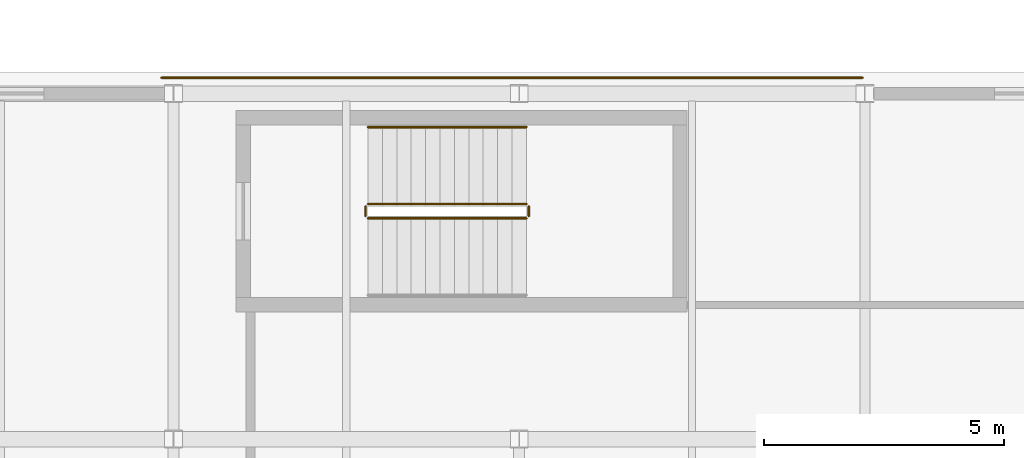
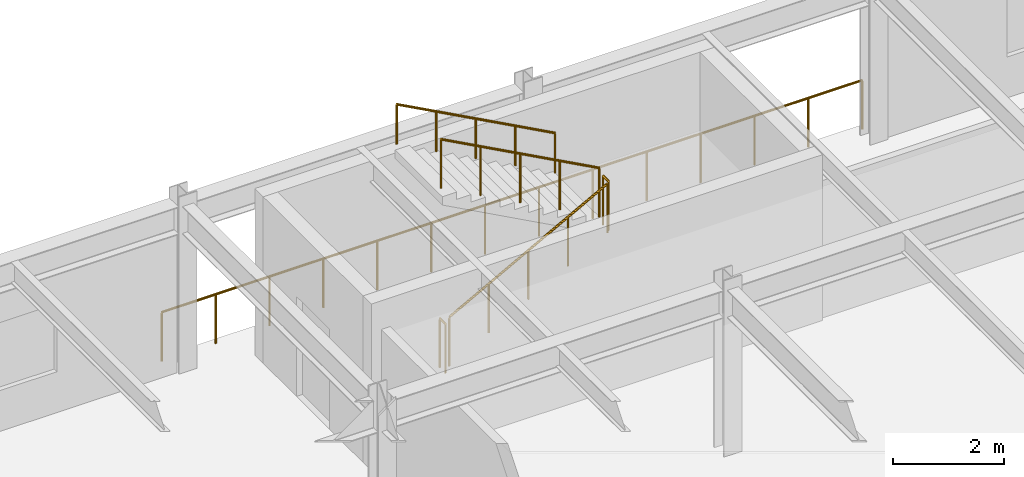
# One storey, part 92 of 93: 6 railings.
"""IFC4 building model written with IfcOpenShell, lengths in metres."""

from ifc_helpers import new_model, si_unit, direction, frame, origin, origin_2d, place, context, subcontext, project, spatial, circle, extrude, material, layer, layer_set, type_object, element, save


model = new_model("IFC4")

# Units and contexts
model_context = context("Model", 3, precision=1e-05, world=origin(), true_north=direction((0.0, 1.0)))
body_context = subcontext(model_context, "Body", "Model", "MODEL_VIEW")
ifc_project = project(units=[si_unit("LENGTHUNIT", "METRE"), si_unit("AREAUNIT", "SQUARE_METRE"), si_unit("VOLUMEUNIT", "CUBIC_METRE"), si_unit("PLANEANGLEUNIT", "RADIAN"), si_unit("MASSUNIT", "GRAM", prefix="KILO")], contexts=[model_context])

# Site, building, storey
site_placement = place(None, origin())
site = spatial("IfcSite", under=ifc_project, at=site_placement, CompositionType="ELEMENT")
building_placement = place(site_placement, origin())
building = spatial("IfcBuilding", under=site, at=building_placement, Name="Vaelcorin Mobility Hub", CompositionType="ELEMENT")
storey_placement = place(building_placement, frame((0.0, 0.0, 5.39990234375)))
storey = spatial("IfcBuildingStorey", under=building, at=storey_placement, Name="L01", CompositionType="ELEMENT", Elevation=5.39990234375)

# Railings
ifc_material_1 = material(Name="Galvanised structural steel ASTM A36", Category="steel")
ifc_layer_1 = layer(ifc_material_1, 0.070068359375)
ifc_layer_set_1 = layer_set([ifc_layer_1], Name="Galvanised structural steel ASTM A36")
railing_type_1 = type_object("IfcRailingType", Name="RL-GUARD-1100", PredefinedType="BALUSTRADE", material=ifc_layer_set_1)
railing_1_placement = place(storey_placement, frame((174.949951171875, 120.330078125, 0.0)))
element("IfcRailing", 1, at=railing_1_placement, inside=storey, type_object=railing_type_1, Name="L01 Perimeter Guard GR-V5-L01-N-GAP-01", PredefinedType="BALUSTRADE", context=body_context, shape_type="SweptSolid", body=[
    extrude(circle(Radius=0.02392578125, at=origin_2d()), frame((0.0, 0.0, 1.076171875), z_axis=(1.0, 0.0, 0.0), x_axis=(0.0, 1.0, 0.0)), (0.0, 0.0, 1.0), 14.60009765625),
    extrude(circle(Radius=0.02099609375, at=origin_2d()), origin(), (0.0, 0.0, 1.0), 1.052001953125),
    extrude(circle(Radius=0.02099609375, at=origin_2d()), frame((1.123046875, 0.0, 0.0)), (0.0, 0.0, 1.0), 1.052001953125),
    extrude(circle(Radius=0.02099609375, at=origin_2d()), frame((2.24609375, 0.0, 0.0)), (0.0, 0.0, 1.0), 1.052001953125),
    extrude(circle(Radius=0.02099609375, at=origin_2d()), frame((3.369140625, 0.0, 0.0)), (0.0, 0.0, 1.0), 1.052001953125),
    extrude(circle(Radius=0.02099609375, at=origin_2d()), frame((4.492431640625, 0.0, 0.0)), (0.0, 0.0, 1.0), 1.052001953125),
    extrude(circle(Radius=0.02099609375, at=origin_2d()), frame((5.615478515625, 0.0, 0.0)), (0.0, 0.0, 1.0), 1.052001953125),
    extrude(circle(Radius=0.02099609375, at=origin_2d()), frame((6.738525390625, 0.0, 0.0)), (0.0, 0.0, 1.0), 1.052001953125),
    extrude(circle(Radius=0.02099609375, at=origin_2d()), frame((7.861572265625, 0.0, 0.0)), (0.0, 0.0, 1.0), 1.052001953125),
    extrude(circle(Radius=0.02099609375, at=origin_2d()), frame((8.984619140625, 0.0, 0.0)), (0.0, 0.0, 1.0), 1.052001953125),
    extrude(circle(Radius=0.02099609375, at=origin_2d()), frame((10.107666015625, 0.0, 0.0)), (0.0, 0.0, 1.0), 1.052001953125),
    extrude(circle(Radius=0.02099609375, at=origin_2d()), frame((11.23095703125, 0.0, 0.0)), (0.0, 0.0, 1.0), 1.052001953125),
    extrude(circle(Radius=0.02099609375, at=origin_2d()), frame((12.35400390625, 0.0, 0.0)), (0.0, 0.0, 1.0), 1.052001953125),
    extrude(circle(Radius=0.02099609375, at=origin_2d()), frame((13.47705078125, 0.0, 0.0)), (0.0, 0.0, 1.0), 1.052001953125),
    extrude(circle(Radius=0.02099609375, at=origin_2d()), frame((14.60009765625, 0.0, 0.0)), (0.0, 0.0, 1.0), 1.052001953125),
])
ifc_material_2 = material(Name="Brushed stainless steel 316L", Category="steel")
ifc_layer_2 = layer(ifc_material_2, 0.048095703125)
ifc_layer_set_2 = layer_set([ifc_layer_2], Name="Brushed stainless steel 316L")
railing_type_2 = type_object("IfcRailingType", Name="RL-STAIR-GRD", PredefinedType="GUARDRAIL", material=ifc_layer_set_2)
railing_2_placement = place(storey_placement, frame((179.25, 117.39990234375, 0.16259765625)))
element("IfcRailing", 2, at=railing_2_placement, inside=storey, type_object=railing_type_2, Name="L01 ST6 stair guard 1", PredefinedType="GUARDRAIL", context=body_context, shape_type="SweptSolid", body=[
    extrude(circle(Radius=0.02392578125, at=origin_2d()), frame((0.0, 0.0, 1.076171875), z_axis=(0.879284020681, 0.0, 0.476297817521), x_axis=(0.0, 1.0, 0.0)), (0.0, 0.0, 1.0), 3.753173828125),
    extrude(circle(Radius=0.02099609375, at=origin_2d()), origin(), (0.0, 0.0, 1.0), 1.052001953125),
    extrude(circle(Radius=0.02099609375, at=origin_2d()), frame((0.824951171875, 0.0, 0.44677734375)), (0.0, 0.0, 1.0), 1.052001953125),
    extrude(circle(Radius=0.02099609375, at=origin_2d()), frame((1.64990234375, 0.0, 0.893798828125)), (0.0, 0.0, 1.0), 1.052001953125),
    extrude(circle(Radius=0.02099609375, at=origin_2d()), frame((2.47509765625, 0.0, 1.3408203125)), (0.0, 0.0, 1.0), 1.052001953125),
    extrude(circle(Radius=0.02099609375, at=origin_2d()), frame((3.300048828125, 0.0, 1.78759765625)), (0.0, 0.0, 1.0), 1.052001953125),
])
railing_3_placement = place(storey_placement, frame((182.60009765625, 117.449951171875, 1.9501953125)))
element("IfcRailing", 3, at=railing_3_placement, inside=storey, type_object=railing_type_2, Name="L01 ST6 stair guard 2", PredefinedType="GUARDRAIL", context=body_context, shape_type="SweptSolid", body=[
    extrude(circle(Radius=0.02392578125, at=origin_2d()), frame((0.0, 0.0, 1.076171875), z_axis=(0.0, 1.0, 0.0), x_axis=(-1.0, 0.0, 0.0)), (0.0, 0.0, 1.0), 0.199951171875),
    extrude(circle(Radius=0.02099609375, at=origin_2d()), origin(), (0.0, 0.0, 1.0), 1.052001953125),
    extrude(circle(Radius=0.02099609375, at=origin_2d()), frame((0.0, 0.199951171875, 0.0)), (0.0, 0.0, 1.0), 1.052001953125),
])
railing_4_placement = place(storey_placement, frame((182.550048828125, 117.699951171875, 2.112548828125)))
element("IfcRailing", 4, at=railing_4_placement, inside=storey, type_object=railing_type_2, Name="L01 ST6 stair guard 3", PredefinedType="GUARDRAIL", context=body_context, shape_type="SweptSolid", body=[
    extrude(circle(Radius=0.02392578125, at=origin_2d()), frame((0.0, 0.0, 1.076171875), z_axis=(-0.879284020681, 0.0, 0.476297817521), x_axis=(0.0, -1.0, 0.0)), (0.0, 0.0, 1.0), 3.753173828125),
    extrude(circle(Radius=0.02099609375, at=origin_2d()), origin(), (0.0, 0.0, 1.0), 1.052001953125),
    extrude(circle(Radius=0.02099609375, at=origin_2d()), frame((-0.824951171875, 0.0, 0.44677734375)), (0.0, 0.0, 1.0), 1.052001953125),
    extrude(circle(Radius=0.02099609375, at=origin_2d()), frame((-1.64990234375, 0.0, 0.893798828125)), (0.0, 0.0, 1.0), 1.052001953125),
    extrude(circle(Radius=0.02099609375, at=origin_2d()), frame((-2.47509765625, 0.0, 1.3408203125)), (0.0, 0.0, 1.0), 1.052001953125),
    extrude(circle(Radius=0.02099609375, at=origin_2d()), frame((-3.300048828125, 0.0, 1.78759765625)), (0.0, 0.0, 1.0), 1.052001953125),
])
railing_5_placement = place(storey_placement, frame((179.199951171875, 117.449951171875, 0.0)))
element("IfcRailing", 5, at=railing_5_placement, inside=storey, type_object=railing_type_2, Name="L01 ST6 stair guard 4", PredefinedType="GUARDRAIL", context=body_context, shape_type="SweptSolid", body=[
    extrude(circle(Radius=0.02392578125, at=origin_2d()), frame((0.0, 0.0, 1.076171875), z_axis=(0.0, 1.0, 0.0), x_axis=(-1.0, 0.0, 0.0)), (0.0, 0.0, 1.0), 0.199951171875),
    extrude(circle(Radius=0.02099609375, at=origin_2d()), origin(), (0.0, 0.0, 1.0), 1.052001953125),
    extrude(circle(Radius=0.02099609375, at=origin_2d()), frame((0.0, 0.199951171875, 0.0)), (0.0, 0.0, 1.0), 1.052001953125),
])
ifc_layer_3 = layer(ifc_material_2, 0.048095703125)
ifc_layer_set_3 = layer_set([ifc_layer_3], Name="Brushed stainless steel 316L")
railing_type_3 = type_object("IfcRailingType", Name="RL-STAIR-HR", PredefinedType="HANDRAIL", material=ifc_layer_set_3)
railing_6_placement = place(storey_placement, frame((182.550048828125, 119.300048828125, 2.112548828125)))
element("IfcRailing", 6, at=railing_6_placement, inside=storey, type_object=railing_type_3, Name="L01 ST6 stair handrail 2", PredefinedType="HANDRAIL", context=body_context, shape_type="SweptSolid", body=[
    extrude(circle(Radius=0.02392578125, at=origin_2d()), frame((0.0, 0.0, 0.8759765625), z_axis=(-0.879284020681, 0.0, 0.476297817521), x_axis=(0.0, -1.0, 0.0)), (0.0, 0.0, 1.0), 3.753173828125),
    extrude(circle(Radius=0.02099609375, at=origin_2d()), origin(), (0.0, 0.0, 1.0), 0.851806640625),
    extrude(circle(Radius=0.02099609375, at=origin_2d()), frame((-0.824951171875, 0.0, 0.44677734375)), (0.0, 0.0, 1.0), 0.851806640625),
    extrude(circle(Radius=0.02099609375, at=origin_2d()), frame((-1.64990234375, 0.0, 0.893798828125)), (0.0, 0.0, 1.0), 0.851806640625),
    extrude(circle(Radius=0.02099609375, at=origin_2d()), frame((-2.47509765625, 0.0, 1.3408203125)), (0.0, 0.0, 1.0), 0.851806640625),
    extrude(circle(Radius=0.02099609375, at=origin_2d()), frame((-3.300048828125, 0.0, 1.78759765625)), (0.0, 0.0, 1.0), 0.851806640625),
])

save(model, "model.ifc")
